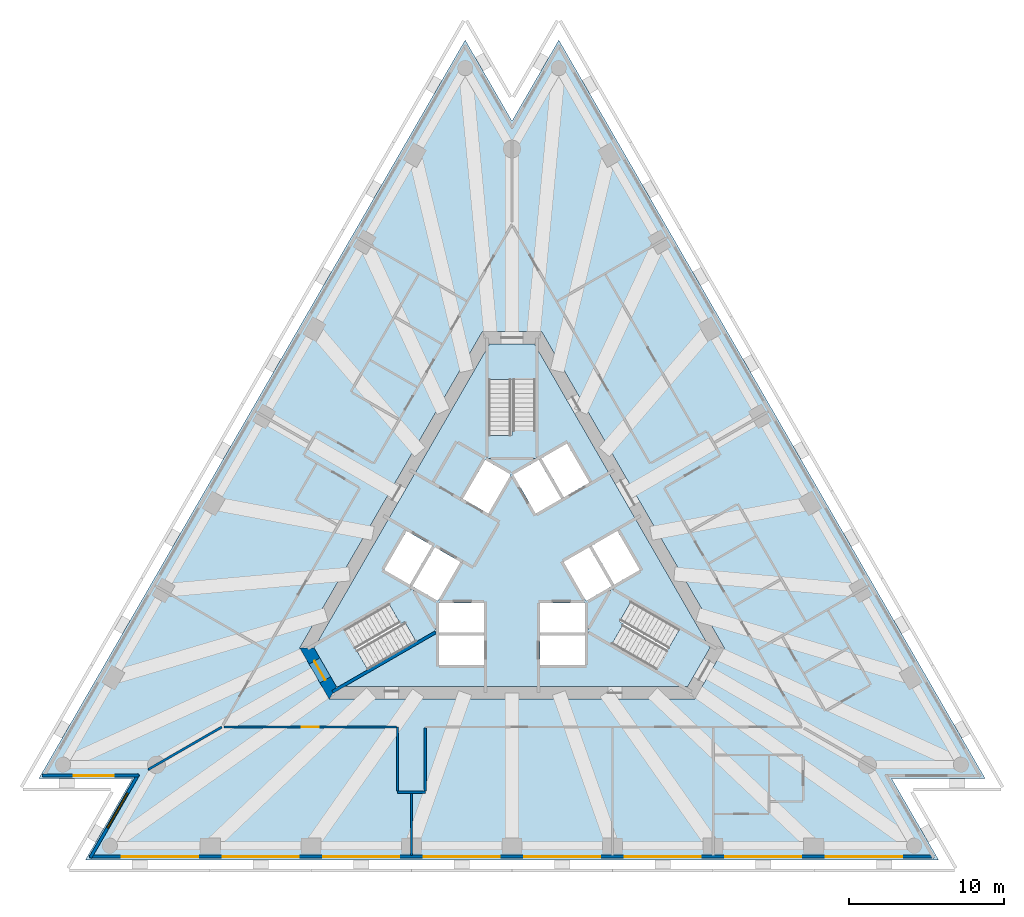
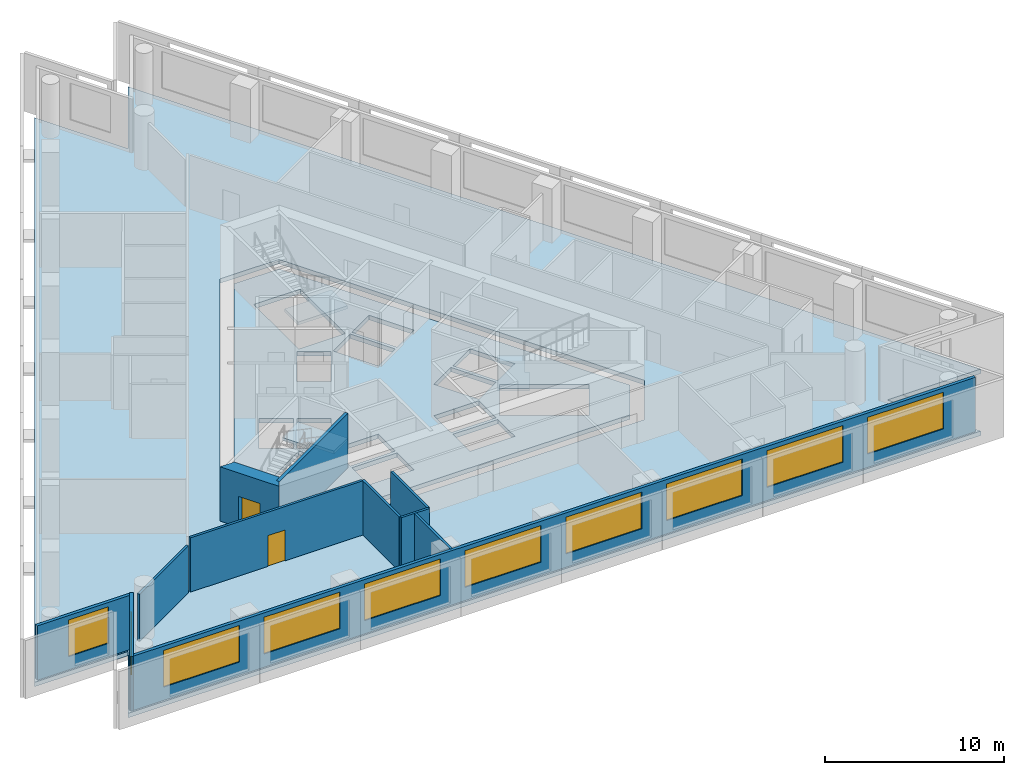
# One storey, part 2 of 9: 11 walls, 10 windows, 5 slabs, 2 doors, 12 openings, 3 elements without a shape of their own.
"""IFC4 building model written with IfcOpenShell, lengths in metres."""

from ifc_helpers import new_model, si_unit, direction, frame, frame_2d, origin, place, context, subcontext, project, spatial, polyline, rectangle, outline, extrude, material, layer, layer_set, layer_usage, type_object, element, fill, aggregate, save


model = new_model("IFC4")

# Units and contexts
model_context = context("Model", 3, precision=1e-05, world=origin(), true_north=direction((0.0, 1.0)))
body_context = subcontext(model_context, "Body", "Model", "MODEL_VIEW")
ifc_project = project(units=[si_unit("LENGTHUNIT", "METRE"), si_unit("AREAUNIT", "SQUARE_METRE"), si_unit("VOLUMEUNIT", "CUBIC_METRE"), si_unit("PLANEANGLEUNIT", "RADIAN"), si_unit("MASSUNIT", "GRAM", prefix="KILO")], contexts=[model_context])

# Site, building, storey
site_placement = place(None, origin())
site = spatial("IfcSite", under=ifc_project, at=site_placement, CompositionType="ELEMENT")
building_placement = place(site_placement, origin())
building = spatial("IfcBuilding", under=site, at=building_placement, Name="Triada Interchange Tower", CompositionType="ELEMENT")
storey_placement = place(building_placement, frame((0.0, 0.0, 164.300048828125)))
storey = spatial("IfcBuildingStorey", under=building, at=storey_placement, Name="L38", CompositionType="ELEMENT", Elevation=164.300048828125)

# Slabs
ifc_material_1 = material(Name="Concrete C50/60", Category="concrete")
ifc_layer_1 = layer(ifc_material_1, 0.300048828125)
ifc_layer_set_1 = layer_set([ifc_layer_1], Name="Floor slab 300")
slab_type_1 = type_object("IfcSlabType", Name="Floor slab 300", PredefinedType="FLOOR", material=ifc_layer_set_1)
slab_1_placement = place(storey_placement, frame((0.0, 0.0, -0.300048828125)))
element("IfcSlab", 1, at=slab_1_placement, inside=storey, type_object=slab_type_1, Name="Floor slab L38", PredefinedType="FLOOR", context=body_context, shape_type="SweptSolid", body=[
    extrude(outline(polyline([(-3.01708984375, 33.48193359375), (-30.5048828125, -14.1279296875), (-24.470947265625, -14.1279296875), (-27.488037109375, -19.35400390625), (27.488037109375, -19.35400390625), (24.470947265625, -14.1279296875), (30.5048828125, -14.1279296875), (3.01708984375, 33.48193359375), (0.0, 28.257080078125), (-3.01708984375, 33.48193359375)]), holes=[polyline([(1.905029296875, 14.699951171875), (-1.905029296875, 14.699951171875), (-13.68310546875, -5.699951171875), (-11.778076171875, -9.0), (11.778076171875, -9.0), (13.68310546875, -5.699951171875), (1.905029296875, 14.699951171875)])]), origin(), (0.0, 0.0, 1.0), 0.300048828125),
])
slab_2_placement = place(storey_placement, frame((0.0, 0.0, -0.300048828125)))
element("IfcSlab", 2, at=slab_2_placement, inside=storey, type_object=slab_type_1, Name="Core floor slab L38 1", PredefinedType="FLOOR", context=body_context, shape_type="SweptSolid", body=[
    extrude(outline(polyline([(12.759033203125, -5.699951171875), (11.31591796875, -8.199951171875), (-11.31591796875, -8.199951171875), (-12.759033203125, -5.699951171875), (-1.443115234375, 13.89990234375), (1.443115234375, 13.89990234375), (12.759033203125, -5.699951171875)]), holes=[polyline([(9.2958984375, -7.09912109375), (10.7958984375, -4.5009765625), (6.466064453125, -2.0009765625), (4.966064453125, -4.59912109375), (9.2958984375, -7.09912109375)]), polyline([(6.7890625, 1.841064453125), (5.14404296875, 0.89111328125), (6.593994140625, -1.6201171875), (8.239013671875, -0.669921875), (6.7890625, 1.841064453125)]), polyline([(4.77490234375, -2.669921875), (6.419921875, -1.719970703125), (4.969970703125, 0.791015625), (3.9150390625, 0.181884765625), (3.324951171875, -0.158935546875), (4.77490234375, -2.669921875)]), polyline([(1.89404296875, 6.52001953125), (3.343994140625, 4.009033203125), (4.989013671875, 4.958984375), (3.5390625, 7.469970703125), (1.89404296875, 6.52001953125)]), polyline([(4.699951171875, -6.800048828125), (4.699951171875, -4.89990234375), (1.800048828125, -4.89990234375), (1.800048828125, -6.800048828125), (4.699951171875, -6.800048828125)]), polyline([(4.699951171875, -2.800048828125), (1.800048828125, -2.800048828125), (1.800048828125, -4.699951171875), (4.699951171875, -4.699951171875), (4.699951171875, -2.800048828125)]), polyline([(0.074951171875, 5.469970703125), (1.52490234375, 2.958984375), (3.169921875, 3.908935546875), (1.719970703125, 6.419921875), (0.074951171875, 5.469970703125)]), polyline([(1.5, 11.60009765625), (-1.5, 11.60009765625), (-1.5, 6.60009765625), (1.5, 6.60009765625), (1.5, 11.60009765625)]), polyline([(-1.52490234375, 2.958984375), (-0.074951171875, 5.469970703125), (-1.719970703125, 6.419921875), (-3.169921875, 3.908935546875), (-1.52490234375, 2.958984375)]), polyline([(-1.800048828125, -2.800048828125), (-4.699951171875, -2.800048828125), (-4.699951171875, -4.699951171875), (-1.800048828125, -4.699951171875), (-1.800048828125, -2.800048828125)]), polyline([(-4.699951171875, -6.800048828125), (-1.800048828125, -6.800048828125), (-1.800048828125, -4.89990234375), (-4.699951171875, -4.89990234375), (-4.699951171875, -6.800048828125)]), polyline([(-4.77490234375, -2.669921875), (-3.324951171875, -0.158935546875), (-4.969970703125, 0.791015625), (-6.419921875, -1.719970703125), (-4.77490234375, -2.669921875)]), polyline([(-10.7958984375, -4.5009765625), (-9.2958984375, -7.09912109375), (-4.966064453125, -4.59912109375), (-6.466064453125, -2.0009765625), (-10.7958984375, -4.5009765625)]), polyline([(-6.593994140625, -1.6201171875), (-5.14404296875, 0.89111328125), (-6.7890625, 1.841064453125), (-8.239013671875, -0.669921875), (-6.593994140625, -1.6201171875)])]), origin(), (0.0, 0.0, 1.0), 0.300048828125),
])

# Stair, slab
ifc_material_2 = material(Name="Concrete C35/45", Category="concrete")
stair_type = type_object("IfcStairType", Name="HALF TURN STAIR 1400", PredefinedType="HALF_TURN_STAIR", material=ifc_material_2)
stair_1_placement = place(storey_placement, origin())
stair_1 = element("IfcStair", 3, at=stair_1_placement, inside=storey, type_object=stair_type, Name="Exit stair S38-1", PredefinedType="HALF_TURN_STAIR")
ifc_layer_2 = layer(ifc_material_2, 0.199951171875)
ifc_layer_set_2 = layer_set([ifc_layer_2], Name="STAIR LANDING 200")
slab_type_2 = type_object("IfcSlabType", Name="STAIR LANDING 200", PredefinedType="LANDING", material=ifc_layer_set_2)
slab_3_placement = place(storey_placement, frame((0.0, 0.0, 1.719970703125)))
slab_3 = element("IfcSlab", 4, at=slab_3_placement, type_object=slab_type_2, Name="S38-1 landing 1", PredefinedType="LANDING", context=body_context, shape_type="SweptSolid", body=[
    extrude(outline(polyline([(1.60009765625, 6.5), (1.60009765625, 8.300048828125), (0.0, 8.300048828125), (0.0, 8.0), (-1.60009765625, 8.0), (-1.60009765625, 6.5), (1.60009765625, 6.5)])), origin(), (0.0, 0.0, 1.0), 0.199951171875),
])
aggregate(stair_1, [slab_3])

stair_2_placement = place(storey_placement, origin())
stair_2 = element("IfcStair", 5, at=stair_2_placement, inside=storey, type_object=stair_type, Name="Exit stair S38-2", PredefinedType="HALF_TURN_STAIR")
slab_4_placement = place(storey_placement, frame((0.0, 0.0, 1.719970703125)))
slab_4 = element("IfcSlab", 6, at=slab_4_placement, type_object=slab_type_2, Name="S38-2 landing 1", PredefinedType="LANDING", context=body_context, shape_type="SweptSolid", body=[
    extrude(outline(polyline([(-6.428955078125, -1.864013671875), (-7.988037109375, -2.763916015625), (-7.18798828125, -4.14990234375), (-6.927978515625, -4.0), (-6.1279296875, -5.385986328125), (-4.8291015625, -4.635986328125), (-6.428955078125, -1.864013671875)])), origin(), (0.0, 0.0, 1.0), 0.199951171875),
])
aggregate(stair_2, [slab_4])

stair_3_placement = place(storey_placement, origin())
stair_3 = element("IfcStair", 7, at=stair_3_placement, inside=storey, type_object=stair_type, Name="Exit stair S38-3", PredefinedType="HALF_TURN_STAIR")
slab_5_placement = place(storey_placement, frame((0.0, 0.0, 1.719970703125)))
slab_5 = element("IfcSlab", 8, at=slab_5_placement, type_object=slab_type_2, Name="S38-3 landing 1", PredefinedType="LANDING", context=body_context, shape_type="SweptSolid", body=[
    extrude(outline(polyline([(4.8291015625, -4.635986328125), (6.387939453125, -5.535888671875), (7.18798828125, -4.14990234375), (6.927978515625, -4.0), (7.72802734375, -2.614013671875), (6.428955078125, -1.864013671875), (4.8291015625, -4.635986328125)])), origin(), (0.0, 0.0, 1.0), 0.199951171875),
])
aggregate(stair_3, [slab_5])

# Wall
ifc_material_3 = material(Name="Concrete C30/37", Category="concrete")
ifc_layer_3 = layer(ifc_material_3, 0.199951171875)
ifc_layer_set_3 = layer_set([ifc_layer_3], Name="CORE WALL 200 REI 240")
wall_type_1 = type_object("IfcWallType", Name="CORE WALL 200 REI 240", PredefinedType="SOLIDWALL", material=ifc_layer_set_3)
wall_1_placement = place(storey_placement, frame((-11.56689453125, -8.52587890625, 0.0), z_axis=(0.0, 0.0, 1.0), x_axis=(0.866005769735, 0.50003400563, 0.0)))
element("IfcWall", 9, at=wall_1_placement, inside=storey, type_object=wall_type_1, Name="Wall L38 87", PredefinedType="SOLIDWALL", context=body_context, shape_type="SweptSolid", body=[
    extrude(rectangle(XDim=7.6650390625, YDim=0.199951171875, at=frame_2d((3.83251953125, 0.0))), origin(), (0.0, 0.0, 1.0), 3.699951171875),
])

# Wall, opening, door
ifc_material_4 = material(Name="Concrete C60/75", Category="concrete")
ifc_layer_4 = layer(ifc_material_4, 0.800048828125)
ifc_layer_set_4 = layer_set([ifc_layer_4], Name="Core wall B 800")
wall_type_2 = type_object("IfcWallType", Name="Core wall B 800", PredefinedType="SHEAR", material=ifc_layer_set_4)
wall_2_placement = place(storey_placement, frame((-13.220947265625, -5.699951171875, -0.300048828125), z_axis=(0.0, 0.0, 1.0), x_axis=(0.49987182685, -0.866099391942, 0.0)))
wall_2 = element("IfcWall", 10, at=wall_2_placement, inside=storey, type_object=wall_type_2, Name="Core wall WB03 L38", PredefinedType="SHEAR", context=body_context, shape_type="SweptSolid", body=[
    extrude(outline(polyline([(-0.23095703125, -0.39990234375), (1.674072265625, -0.39990234375), (3.5791015625, -0.39990234375), (3.117919921875, 0.39990234375), (1.67431640625, 0.39990234375), (0.23095703125, 0.39990234375), (-0.23095703125, -0.39990234375)])), origin(), (0.0, 0.0, 1.0), 4.0),
])
opening_1_placement = place(wall_2_placement, frame((0.97412109375, 0.0, 0.300048828125)))
opening_1 = element("IfcOpeningElement", 11, at=opening_1_placement, cuts=wall_2, Name="Opening D38-37", PredefinedType="OPENING", context=body_context, shape_type="SweptSolid", body=[
    extrude(rectangle(XDim=1.39990234375, YDim=2.10009765625, at=frame_2d((0.699951171875, 1.050048828125))), frame((0.0, 0.409912109375, 0.0), z_axis=(0.0, -1.0, 0.0), x_axis=(1.0, 0.0, 0.0)), (0.0, 0.0, 1.0), 0.820068359375),
])
ifc_material_5 = material(Name="Steel S235 door leaf", Category="steel")
door_type_1 = type_object("IfcDoorType", Name="STAIR DOOR 1400 EI2 90-C5S200", OperationType="DOUBLE_DOOR_SINGLE_SWING", PredefinedType="DOOR", material=ifc_material_5)
door_1_placement = place(opening_1_placement, origin())
door_1 = element("IfcDoor", 12, at=door_1_placement, inside=storey, type_object=door_type_1, Name="Door D38-37 L38", OperationType="DOUBLE_DOOR_SINGLE_SWING", OverallHeight=2.10009765625, OverallWidth=1.39990234375, PredefinedType="DOOR", context=body_context, shape_type="SweptSolid", body=[
    extrude(rectangle(XDim=1.39990234375, YDim=2.10009765625, at=frame_2d((0.699951171875, 1.050048828125))), frame((0.0, 0.02490234375, 0.0), z_axis=(0.0, -1.0, 0.0), x_axis=(1.0, 0.0, 0.0)), (0.0, 0.0, 1.0), 0.050048828125),
])
fill(opening_1, door_1)

# Wall, opening, window
ifc_material_6 = material(Name="Cement board")
ifc_layer_5 = layer(ifc_material_6, 0.02001953125, Name="Cement board cladding")
ifc_material_7 = material(Name="Sheathing board")
ifc_layer_6 = layer(ifc_material_7, 0.014892578125, Name="Sheathing board")
ifc_material_8 = material(Name="Mineral wool")
ifc_layer_7 = layer(ifc_material_8, 0.14990234375, Name="Mineral wool between steel studs")
ifc_material_9 = material(Name="Gypsum board")
ifc_layer_8 = layer(ifc_material_9, 0.014892578125, Name="Plasterboard lining")
ifc_layer_set_5 = layer_set([ifc_layer_5, ifc_layer_6, ifc_layer_7, ifc_layer_8], Name="External wall 200")
ifc_layer_usage = layer_usage(ifc_layer_set_5, "AXIS2", "POSITIVE", -0.10009765625)
wall_type_3 = type_object("IfcWallType", Name="External wall 200", PredefinedType="ELEMENTEDWALL", material=ifc_layer_set_5)
wall_3_placement = place(storey_placement, frame((-30.2490234375, -13.927978515625, 0.0), z_axis=(0.0, 0.0, 1.0), x_axis=(1.0, 0.0, 0.0)))
wall_3 = element("IfcWall", 13, at=wall_3_placement, inside=storey, type_object=wall_type_3, material=ifc_layer_usage, Name="External wall L38 SW-1", PredefinedType="ELEMENTEDWALL", context=body_context, shape_type="SweptSolid", body=[
    extrude(rectangle(XDim=6.194091796875, YDim=0.199951171875, at=frame_2d((3.09716796875, 0.0))), origin(), (0.0, 0.0, 1.0), 3.699951171875),
])
opening_2_placement = place(wall_3_placement, frame((1.989990234375, 0.0, 0.89990234375)))
opening_2 = element("IfcOpeningElement", 14, at=opening_2_placement, cuts=wall_3, Name="Opening WB09", PredefinedType="OPENING", context=body_context, shape_type="SweptSolid", body=[
    extrude(rectangle(XDim=2.60009765625, YDim=2.5, at=frame_2d((1.300048828125, 1.25))), frame((0.0, 0.10986328125, 0.0), z_axis=(0.0, -1.0, 0.0), x_axis=(1.0, 0.0, 0.0)), (0.0, 0.0, 1.0), 0.219970703125),
])
ifc_material_10 = material(Name="Double glazed aluminium window", Category="aluminium")
window_type_1 = type_object("IfcWindowType", Name="Ribbon window B pocket", PartitioningType="SINGLE_PANEL", PredefinedType="WINDOW", material=ifc_material_10)
window_1_placement = place(opening_2_placement, origin())
window_1 = element("IfcWindow", 15, at=window_1_placement, inside=storey, type_object=window_type_1, Name="Window L38 SW-1 1", OverallHeight=2.5, OverallWidth=2.60009765625, PartitioningType="SINGLE_PANEL", PredefinedType="WINDOW", context=body_context, shape_type="SweptSolid", body=[
    extrude(rectangle(XDim=2.60009765625, YDim=2.5, at=frame_2d((1.300048828125, 1.25))), frame((0.0, 0.030029296875, 0.0), z_axis=(0.0, -1.0, 0.0), x_axis=(1.0, 0.0, 0.0)), (0.0, 0.0, 1.0), 0.06005859375),
])
fill(opening_2, window_1)

wall_4_placement = place(storey_placement, frame((-24.080078125, -13.85009765625, 0.0), z_axis=(0.0, 0.0, 1.0), x_axis=(-0.499932836684, -0.86606417707, 0.0)))
wall_4 = element("IfcWall", 16, at=wall_4_placement, inside=storey, type_object=wall_type_3, material=ifc_layer_usage, Name="External wall L38 SW-2", PredefinedType="ELEMENTEDWALL", context=body_context, shape_type="SweptSolid", body=[
    extrude(rectangle(XDim=6.194580078125, YDim=0.199951171875, at=frame_2d((3.09716796875, 0.0))), origin(), (0.0, 0.0, 1.0), 3.699951171875),
])
opening_3_placement = place(wall_4_placement, frame((1.389892578125, 0.0, 0.89990234375)))
opening_3 = element("IfcOpeningElement", 17, at=opening_3_placement, cuts=wall_4, Name="Opening WB10", PredefinedType="OPENING", context=body_context, shape_type="SweptSolid", body=[
    extrude(rectangle(XDim=2.60009765625, YDim=2.5, at=frame_2d((1.300048828125, 1.25))), frame((0.0, 0.10986328125, 0.0), z_axis=(0.0, -1.0, 0.0), x_axis=(1.0, 0.0, 0.0)), (0.0, 0.0, 1.0), 0.219970703125),
])
window_2_placement = place(opening_3_placement, origin())
window_2 = element("IfcWindow", 18, at=window_2_placement, inside=storey, type_object=window_type_1, Name="Window L38 SW-2 1", OverallHeight=2.5, OverallWidth=2.60009765625, PartitioningType="SINGLE_PANEL", PredefinedType="WINDOW", context=body_context, shape_type="SweptSolid", body=[
    extrude(rectangle(XDim=2.60009765625, YDim=2.5, at=frame_2d((1.300048828125, 1.25))), frame((0.0, 0.030029296875, 0.0), z_axis=(0.0, -1.0, 0.0), x_axis=(1.0, 0.0, 0.0)), (0.0, 0.0, 1.0), 0.06005859375),
])
fill(opening_3, window_2)

# Wall, openings, windows
wall_5_placement = place(storey_placement, frame((-27.23193359375, -19.154052734375, 0.0), z_axis=(0.0, 0.0, 1.0), x_axis=(1.0, 0.0, 0.0)))
wall_5 = element("IfcWall", 19, at=wall_5_placement, inside=storey, type_object=wall_type_3, material=ifc_layer_usage, Name="External wall L38 S", PredefinedType="ELEMENTEDWALL", context=body_context, shape_type="SweptSolid", body=[
    extrude(rectangle(XDim=54.44384765625, YDim=0.199951171875, at=frame_2d((27.221923828125, 0.0))), origin(), (0.0, 0.0, 1.0), 3.699951171875),
])
opening_4_placement = place(wall_5_placement, frame((2.093994140625, 0.0, 0.89990234375)))
opening_4 = element("IfcOpeningElement", 20, at=opening_4_placement, cuts=wall_5, Name="Opening WB11", PredefinedType="OPENING", context=body_context, shape_type="SweptSolid", body=[
    extrude(rectangle(XDim=4.89990234375, YDim=2.5, at=frame_2d((2.449951171875, 1.25))), frame((0.0, 0.10986328125, 0.0), z_axis=(0.0, -1.0, 0.0), x_axis=(1.0, 0.0, 0.0)), (0.0, 0.0, 1.0), 0.219970703125),
])
opening_5_placement = place(wall_5_placement, frame((8.575927734375, 0.0, 0.89990234375)))
opening_5 = element("IfcOpeningElement", 21, at=opening_5_placement, cuts=wall_5, Name="Opening WB12", PredefinedType="OPENING", context=body_context, shape_type="SweptSolid", body=[
    extrude(rectangle(XDim=4.89990234375, YDim=2.5, at=frame_2d((2.449951171875, 1.25))), frame((0.0, 0.10986328125, 0.0), z_axis=(0.0, -1.0, 0.0), x_axis=(1.0, 0.0, 0.0)), (0.0, 0.0, 1.0), 0.219970703125),
])
opening_6_placement = place(wall_5_placement, frame((15.05908203125, 0.0, 0.89990234375)))
opening_6 = element("IfcOpeningElement", 22, at=opening_6_placement, cuts=wall_5, Name="Opening WB13", PredefinedType="OPENING", context=body_context, shape_type="SweptSolid", body=[
    extrude(rectangle(XDim=4.89990234375, YDim=2.5, at=frame_2d((2.449951171875, 1.25))), frame((0.0, 0.10986328125, 0.0), z_axis=(0.0, -1.0, 0.0), x_axis=(1.0, 0.0, 0.0)), (0.0, 0.0, 1.0), 0.219970703125),
])
opening_7_placement = place(wall_5_placement, frame((21.541015625, 0.0, 0.89990234375)))
opening_7 = element("IfcOpeningElement", 23, at=opening_7_placement, cuts=wall_5, Name="Opening WB14", PredefinedType="OPENING", context=body_context, shape_type="SweptSolid", body=[
    extrude(rectangle(XDim=4.89990234375, YDim=2.5, at=frame_2d((2.449951171875, 1.25))), frame((0.0, 0.10986328125, 0.0), z_axis=(0.0, -1.0, 0.0), x_axis=(1.0, 0.0, 0.0)), (0.0, 0.0, 1.0), 0.219970703125),
])
opening_8_placement = place(wall_5_placement, frame((28.02294921875, 0.0, 0.89990234375)))
opening_8 = element("IfcOpeningElement", 24, at=opening_8_placement, cuts=wall_5, Name="Opening WB15", PredefinedType="OPENING", context=body_context, shape_type="SweptSolid", body=[
    extrude(rectangle(XDim=4.89990234375, YDim=2.5, at=frame_2d((2.449951171875, 1.25))), frame((0.0, 0.10986328125, 0.0), z_axis=(0.0, -1.0, 0.0), x_axis=(1.0, 0.0, 0.0)), (0.0, 0.0, 1.0), 0.219970703125),
])
opening_9_placement = place(wall_5_placement, frame((34.5048828125, 0.0, 0.89990234375)))
opening_9 = element("IfcOpeningElement", 25, at=opening_9_placement, cuts=wall_5, Name="Opening WB16", PredefinedType="OPENING", context=body_context, shape_type="SweptSolid", body=[
    extrude(rectangle(XDim=4.89990234375, YDim=2.5, at=frame_2d((2.449951171875, 1.25))), frame((0.0, 0.10986328125, 0.0), z_axis=(0.0, -1.0, 0.0), x_axis=(1.0, 0.0, 0.0)), (0.0, 0.0, 1.0), 0.219970703125),
])
opening_10_placement = place(wall_5_placement, frame((40.988037109375, 0.0, 0.89990234375)))
opening_10 = element("IfcOpeningElement", 26, at=opening_10_placement, cuts=wall_5, Name="Opening WB17", PredefinedType="OPENING", context=body_context, shape_type="SweptSolid", body=[
    extrude(rectangle(XDim=4.89990234375, YDim=2.5, at=frame_2d((2.449951171875, 1.25))), frame((0.0, 0.10986328125, 0.0), z_axis=(0.0, -1.0, 0.0), x_axis=(1.0, 0.0, 0.0)), (0.0, 0.0, 1.0), 0.219970703125),
])
opening_11_placement = place(wall_5_placement, frame((47.469970703125, 0.0, 0.89990234375)))
opening_11 = element("IfcOpeningElement", 27, at=opening_11_placement, cuts=wall_5, Name="Opening WB18", PredefinedType="OPENING", context=body_context, shape_type="SweptSolid", body=[
    extrude(rectangle(XDim=4.89990234375, YDim=2.5, at=frame_2d((2.449951171875, 1.25))), frame((0.0, 0.10986328125, 0.0), z_axis=(0.0, -1.0, 0.0), x_axis=(1.0, 0.0, 0.0)), (0.0, 0.0, 1.0), 0.219970703125),
])
window_type_2 = type_object("IfcWindowType", Name="Ribbon window B face", PartitioningType="SINGLE_PANEL", PredefinedType="WINDOW", material=ifc_material_10)
window_3_placement = place(opening_4_placement, origin())
window_3 = element("IfcWindow", 28, at=window_3_placement, inside=storey, type_object=window_type_2, Name="Window L38 S 1", OverallHeight=2.5, OverallWidth=4.89990234375, PartitioningType="SINGLE_PANEL", PredefinedType="WINDOW", context=body_context, shape_type="SweptSolid", body=[
    extrude(rectangle(XDim=4.89990234375, YDim=2.5, at=frame_2d((2.449951171875, 1.25))), frame((0.0, 0.030029296875, 0.0), z_axis=(0.0, -1.0, 0.0), x_axis=(1.0, 0.0, 0.0)), (0.0, 0.0, 1.0), 0.06005859375),
])
fill(opening_4, window_3)
window_4_placement = place(opening_5_placement, origin())
window_4 = element("IfcWindow", 29, at=window_4_placement, inside=storey, type_object=window_type_2, Name="Window L38 S 2", OverallHeight=2.5, OverallWidth=4.89990234375, PartitioningType="SINGLE_PANEL", PredefinedType="WINDOW", context=body_context, shape_type="SweptSolid", body=[
    extrude(rectangle(XDim=4.89990234375, YDim=2.5, at=frame_2d((2.449951171875, 1.25))), frame((0.0, 0.030029296875, 0.0), z_axis=(0.0, -1.0, 0.0), x_axis=(1.0, 0.0, 0.0)), (0.0, 0.0, 1.0), 0.06005859375),
])
fill(opening_5, window_4)
window_5_placement = place(opening_6_placement, origin())
window_5 = element("IfcWindow", 30, at=window_5_placement, inside=storey, type_object=window_type_2, Name="Window L38 S 3", OverallHeight=2.5, OverallWidth=4.89990234375, PartitioningType="SINGLE_PANEL", PredefinedType="WINDOW", context=body_context, shape_type="SweptSolid", body=[
    extrude(rectangle(XDim=4.89990234375, YDim=2.5, at=frame_2d((2.449951171875, 1.25))), frame((0.0, 0.030029296875, 0.0), z_axis=(0.0, -1.0, 0.0), x_axis=(1.0, 0.0, 0.0)), (0.0, 0.0, 1.0), 0.06005859375),
])
fill(opening_6, window_5)
window_6_placement = place(opening_7_placement, origin())
window_6 = element("IfcWindow", 31, at=window_6_placement, inside=storey, type_object=window_type_2, Name="Window L38 S 4", OverallHeight=2.5, OverallWidth=4.89990234375, PartitioningType="SINGLE_PANEL", PredefinedType="WINDOW", context=body_context, shape_type="SweptSolid", body=[
    extrude(rectangle(XDim=4.89990234375, YDim=2.5, at=frame_2d((2.449951171875, 1.25))), frame((0.0, 0.030029296875, 0.0), z_axis=(0.0, -1.0, 0.0), x_axis=(1.0, 0.0, 0.0)), (0.0, 0.0, 1.0), 0.06005859375),
])
fill(opening_7, window_6)
window_7_placement = place(opening_8_placement, origin())
window_7 = element("IfcWindow", 32, at=window_7_placement, inside=storey, type_object=window_type_2, Name="Window L38 S 5", OverallHeight=2.5, OverallWidth=4.89990234375, PartitioningType="SINGLE_PANEL", PredefinedType="WINDOW", context=body_context, shape_type="SweptSolid", body=[
    extrude(rectangle(XDim=4.89990234375, YDim=2.5, at=frame_2d((2.449951171875, 1.25))), frame((0.0, 0.030029296875, 0.0), z_axis=(0.0, -1.0, 0.0), x_axis=(1.0, 0.0, 0.0)), (0.0, 0.0, 1.0), 0.06005859375),
])
fill(opening_8, window_7)
window_8_placement = place(opening_9_placement, origin())
window_8 = element("IfcWindow", 33, at=window_8_placement, inside=storey, type_object=window_type_2, Name="Window L38 S 6", OverallHeight=2.5, OverallWidth=4.89990234375, PartitioningType="SINGLE_PANEL", PredefinedType="WINDOW", context=body_context, shape_type="SweptSolid", body=[
    extrude(rectangle(XDim=4.89990234375, YDim=2.5, at=frame_2d((2.449951171875, 1.25))), frame((0.0, 0.030029296875, 0.0), z_axis=(0.0, -1.0, 0.0), x_axis=(1.0, 0.0, 0.0)), (0.0, 0.0, 1.0), 0.06005859375),
])
fill(opening_9, window_8)
window_9_placement = place(opening_10_placement, origin())
window_9 = element("IfcWindow", 34, at=window_9_placement, inside=storey, type_object=window_type_2, Name="Window L38 S 7", OverallHeight=2.5, OverallWidth=4.89990234375, PartitioningType="SINGLE_PANEL", PredefinedType="WINDOW", context=body_context, shape_type="SweptSolid", body=[
    extrude(rectangle(XDim=4.89990234375, YDim=2.5, at=frame_2d((2.449951171875, 1.25))), frame((0.0, 0.030029296875, 0.0), z_axis=(0.0, -1.0, 0.0), x_axis=(1.0, 0.0, 0.0)), (0.0, 0.0, 1.0), 0.06005859375),
])
fill(opening_10, window_9)
window_10_placement = place(opening_11_placement, origin())
window_10 = element("IfcWindow", 35, at=window_10_placement, inside=storey, type_object=window_type_2, Name="Window L38 S 8", OverallHeight=2.5, OverallWidth=4.89990234375, PartitioningType="SINGLE_PANEL", PredefinedType="WINDOW", context=body_context, shape_type="SweptSolid", body=[
    extrude(rectangle(XDim=4.89990234375, YDim=2.5, at=frame_2d((2.449951171875, 1.25))), frame((0.0, 0.030029296875, 0.0), z_axis=(0.0, -1.0, 0.0), x_axis=(1.0, 0.0, 0.0)), (0.0, 0.0, 1.0), 0.06005859375),
])
fill(opening_11, window_10)

# Walls
ifc_material_11 = material(Name="Gypsum board partition")
ifc_layer_9 = layer(ifc_material_11, 0.14990234375)
ifc_layer_set_6 = layer_set([ifc_layer_9], Name="PARTITION 150 EI 180")
wall_type_4 = type_object("IfcWallType", Name="PARTITION 150 EI 180", PredefinedType="PARTITIONING", material=ifc_layer_set_6)
wall_6_placement = place(storey_placement, frame((-23.448974609375, -13.5380859375, 0.0), z_axis=(0.0, 0.0, 1.0), x_axis=(0.865971038555, 0.500094151519, 0.0)))
element("IfcWall", 36, at=wall_6_placement, inside=storey, type_object=wall_type_4, Name="Wall L38 1", PredefinedType="PARTITIONING", context=body_context, shape_type="SweptSolid", body=[
    extrude(rectangle(XDim=5.47705078125, YDim=0.14990234375, at=frame_2d((2.738525390625, 0.0))), origin(), (0.0, 0.0, 1.0), 3.199951171875),
])
wall_7_placement = place(storey_placement, frame((-7.382080078125, -15.0, 0.0), z_axis=(0.0, 0.0, 1.0), x_axis=(1.0, 0.0, 0.0)))
element("IfcWall", 37, at=wall_7_placement, inside=storey, type_object=wall_type_4, Name="Wall L38 4", PredefinedType="PARTITIONING", context=body_context, shape_type="SweptSolid", body=[
    extrude(rectangle(XDim=1.800048828125, YDim=0.14990234375, at=frame_2d((0.89990234375, 0.0))), origin(), (0.0, 0.0, 1.0), 3.699951171875),
])
wall_8_placement = place(storey_placement, frame((-7.382080078125, -14.925048828125, 0.0), z_axis=(0.0, 0.0, 1.0), x_axis=(0.0, 1.0, 0.0)))
element("IfcWall", 38, at=wall_8_placement, inside=storey, type_object=wall_type_4, Name="Wall L38 5", PredefinedType="PARTITIONING", context=body_context, shape_type="SweptSolid", body=[
    extrude(rectangle(XDim=4.1240234375, YDim=0.14990234375, at=frame_2d((2.06201171875, 0.0))), origin(), (0.0, 0.0, 1.0), 3.699951171875),
])

# Wall, opening, door
wall_9_placement = place(storey_placement, frame((-18.555908203125, -10.800048828125, 0.0), z_axis=(0.0, 0.0, 1.0), x_axis=(1.0, 0.0, 0.0)))
wall_9 = element("IfcWall", 39, at=wall_9_placement, inside=storey, type_object=wall_type_4, Name="Wall L38 6", PredefinedType="PARTITIONING", context=body_context, shape_type="SweptSolid", body=[
    extrude(rectangle(XDim=11.097900390625, YDim=0.14990234375, at=frame_2d((5.548828125, 0.0))), origin(), (0.0, 0.0, 1.0), 3.699951171875),
])
opening_12_placement = place(wall_9_placement, frame((5.0, 0.0, 0.0)))
opening_12 = element("IfcOpeningElement", 40, at=opening_12_placement, cuts=wall_9, Name="Opening D38-11", PredefinedType="OPENING", context=body_context, shape_type="SweptSolid", body=[
    extrude(rectangle(XDim=1.10009765625, YDim=2.10009765625, at=frame_2d((0.550048828125, 1.050048828125))), frame((0.0, 0.0849609375, 0.0), z_axis=(0.0, -1.0, 0.0), x_axis=(1.0, 0.0, 0.0)), (0.0, 0.0, 1.0), 0.169921875),
])
door_type_2 = type_object("IfcDoorType", Name="TENANCY ENTRANCE DOOR 1100 EI2 90-C5S200", OperationType="NOTDEFINED", PredefinedType="DOOR", material=ifc_material_5)
door_2_placement = place(opening_12_placement, origin())
door_2 = element("IfcDoor", 41, at=door_2_placement, inside=storey, type_object=door_type_2, Name="Door D38-11 L38", OperationType="SINGLE_SWING_RIGHT", OverallHeight=2.10009765625, OverallWidth=1.10009765625, PredefinedType="DOOR", context=body_context, shape_type="SweptSolid", body=[
    extrude(rectangle(XDim=1.10009765625, YDim=2.10009765625, at=frame_2d((0.550048828125, 1.050048828125))), frame((0.0, 0.02490234375, 0.0), z_axis=(0.0, -1.0, 0.0), x_axis=(1.0, 0.0, 0.0)), (0.0, 0.0, 1.0), 0.050048828125),
])
fill(opening_12, door_2)

# Walls
wall_10_placement = place(storey_placement, frame((-6.48193359375, -19.073974609375, 0.0), z_axis=(0.0, 0.0, 1.0), x_axis=(0.0, 1.0, 0.0)))
element("IfcWall", 42, at=wall_10_placement, inside=storey, type_object=wall_type_4, Name="Wall L38 22", PredefinedType="PARTITIONING", context=body_context, shape_type="SweptSolid", body=[
    extrude(rectangle(XDim=3.9990234375, YDim=0.14990234375, at=frame_2d((1.99951171875, 0.0))), origin(), (0.0, 0.0, 1.0), 3.699951171875),
])
wall_11_placement = place(storey_placement, frame((-5.58203125, -14.925048828125, 0.0), z_axis=(0.0, 0.0, 1.0), x_axis=(0.0, 1.0, 0.0)))
element("IfcWall", 43, at=wall_11_placement, inside=storey, type_object=wall_type_4, Name="Wall L38 23", PredefinedType="PARTITIONING", context=body_context, shape_type="SweptSolid", body=[
    extrude(rectangle(XDim=4.049072265625, YDim=0.14990234375, at=frame_2d((2.0244140625, 0.0))), origin(), (0.0, 0.0, 1.0), 3.699951171875),
])

save(model, "model.ifc")
